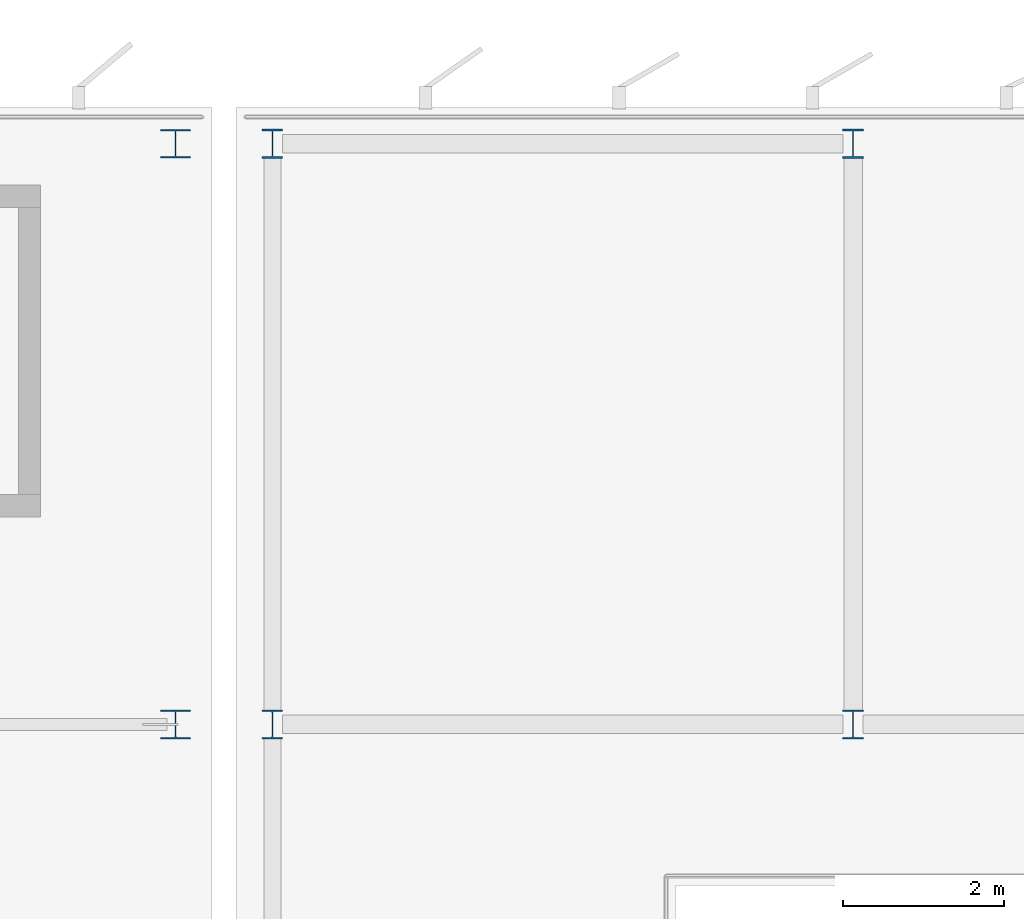
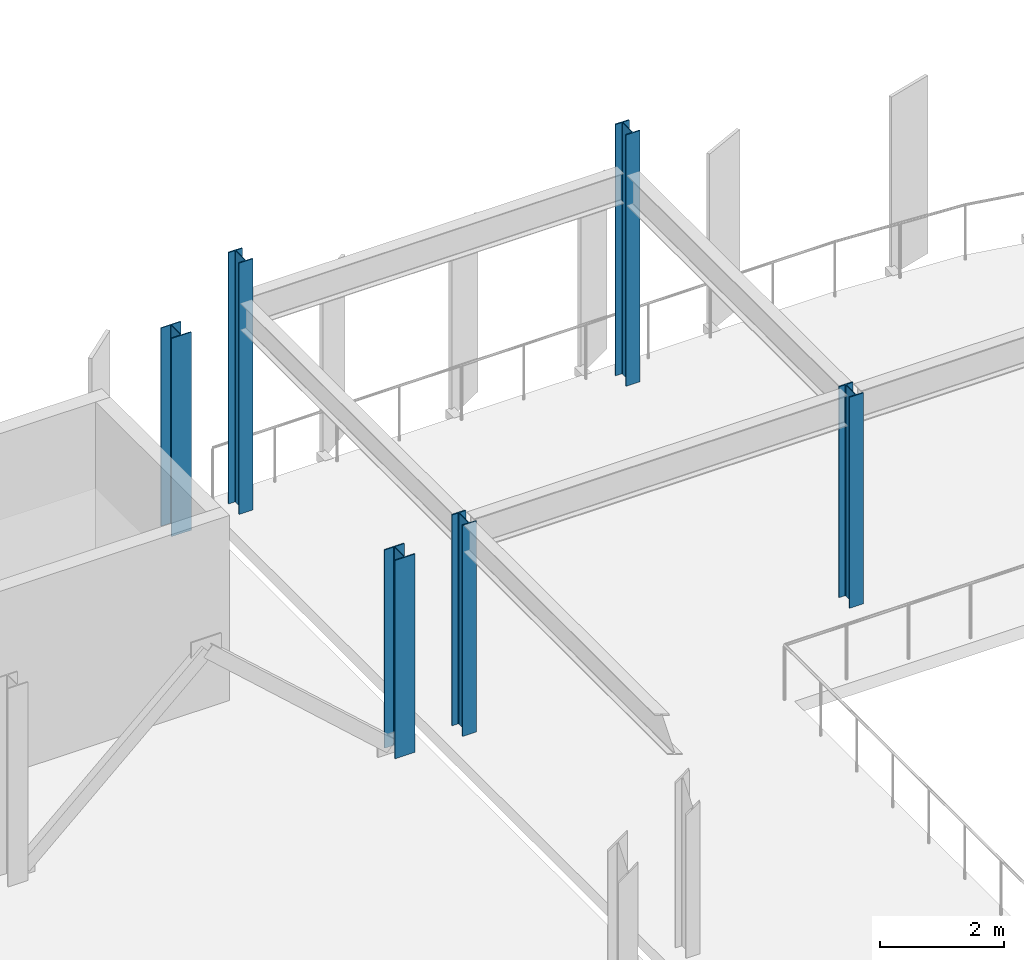
# One storey, part 10 of 40: 6 columns.
"""IFC4 building model written with IfcOpenShell, lengths in metres."""

from ifc_helpers import new_model, si_unit, direction, frame, origin, origin_2d, place, context, subcontext, project, spatial, i_section, extrude, material, material_profile, profile_set, type_object, element, save


model = new_model("IFC4")

# Units and contexts
model_context = context("Model", 3, precision=1e-05, world=origin(), true_north=direction((0.0, 1.0)))
body_context = subcontext(model_context, "Body", "Model", "MODEL_VIEW")
ifc_project = project(units=[si_unit("LENGTHUNIT", "METRE"), si_unit("AREAUNIT", "SQUARE_METRE"), si_unit("VOLUMEUNIT", "CUBIC_METRE"), si_unit("PLANEANGLEUNIT", "RADIAN"), si_unit("MASSUNIT", "GRAM", prefix="KILO")], contexts=[model_context])

# Site, building, storey
site_placement = place(None, origin())
site = spatial("IfcSite", under=ifc_project, at=site_placement, CompositionType="ELEMENT")
building_placement = place(site_placement, origin())
building = spatial("IfcBuilding", under=site, at=building_placement, Name="Vaelcorin Mobility Hub", CompositionType="ELEMENT")
storey_placement = place(building_placement, frame((0.0, 0.0, 17.10009765625)))
storey = spatial("IfcBuildingStorey", under=building, at=storey_placement, Name="L04", CompositionType="ELEMENT", Elevation=17.10009765625)

# Columns
ifc_material = material(Name="Steel ASTM A992 Grade 50", Category="steel")
ifc_material_profile_1 = material_profile(ifc_material, i_section(OverallWidth=0.37109375, OverallDepth=0.363037109375, WebThickness=0.01318359375, FlangeThickness=0.021728515625, FilletRadius=0.014892578125, at=origin_2d()), Name="W14X109")
ifc_profile_set_1 = profile_set([ifc_material_profile_1], Name="Steel ASTM A992 Grade 50")
column_type_1 = type_object("IfcColumnType", Name="COL-W14X109", PredefinedType="COLUMN", material=ifc_profile_set_1)
column_1_placement = place(storey_placement, frame((122.39990234375, 112.800048828125, 0.0), z_axis=(0.0, 0.0, 1.0), x_axis=(1.0, 0.0, 0.0)))
element("IfcColumn", 1, at=column_1_placement, inside=storey, type_object=column_type_1, Name="Column V4-X13Y06 L04", PredefinedType="COLUMN", context=body_context, shape_type="SweptSolid", body=[
    extrude(i_section(OverallWidth=0.37109375, OverallDepth=0.363037109375, WebThickness=0.01318359375, FlangeThickness=0.021728515625, FilletRadius=0.014892578125, at=origin_2d()), origin(), (0.0, 0.0, 1.0), 3.89990234375),
])
ifc_material_profile_2 = material_profile(ifc_material, i_section(OverallWidth=0.257080078125, OverallDepth=0.363037109375, WebThickness=0.012939453125, FlangeThickness=0.021728515625, FilletRadius=0.014892578125, at=origin_2d()), Name="W14X82")
ifc_profile_set_2 = profile_set([ifc_material_profile_2], Name="Steel ASTM A992 Grade 50")
column_type_2 = type_object("IfcColumnType", Name="COL-W14X82", PredefinedType="COLUMN", material=ifc_profile_set_2)
column_2_placement = place(storey_placement, frame((123.60009765625, 112.800048828125, 0.0), z_axis=(0.0, 0.0, 1.0), x_axis=(1.0, 0.0, 0.0)))
element("IfcColumn", 2, at=column_2_placement, inside=storey, type_object=column_type_2, Name="Column V2E-G1x6 L04", PredefinedType="COLUMN", context=body_context, shape_type="SweptSolid", body=[
    extrude(i_section(OverallWidth=0.257080078125, OverallDepth=0.363037109375, WebThickness=0.012939453125, FlangeThickness=0.021728515625, FilletRadius=0.014892578125, at=origin_2d()), origin(), (0.0, 0.0, 1.0), 4.14990234375),
])
column_3_placement = place(storey_placement, frame((123.60009765625, 120.0, 0.0), z_axis=(0.0, 0.0, 1.0), x_axis=(1.0, 0.0, 0.0)))
element("IfcColumn", 3, at=column_3_placement, inside=storey, type_object=column_type_2, Name="Column V2E-G1x7 L04", PredefinedType="COLUMN", context=body_context, shape_type="SweptSolid", body=[
    extrude(i_section(OverallWidth=0.257080078125, OverallDepth=0.363037109375, WebThickness=0.012939453125, FlangeThickness=0.021728515625, FilletRadius=0.014892578125, at=origin_2d()), origin(), (0.0, 0.0, 1.0), 4.94384765625),
])
column_4_placement = place(storey_placement, frame((130.800048828125, 112.800048828125, 0.0), z_axis=(0.0, 0.0, 1.0), x_axis=(1.0, 0.0, 0.0)))
element("IfcColumn", 4, at=column_4_placement, inside=storey, type_object=column_type_2, Name="Column V2E-G2x6 L04", PredefinedType="COLUMN", context=body_context, shape_type="SweptSolid", body=[
    extrude(i_section(OverallWidth=0.257080078125, OverallDepth=0.363037109375, WebThickness=0.012939453125, FlangeThickness=0.021728515625, FilletRadius=0.014892578125, at=origin_2d()), origin(), (0.0, 0.0, 1.0), 4.14990234375),
])
column_5_placement = place(storey_placement, frame((130.800048828125, 120.0, 0.0), z_axis=(0.0, 0.0, 1.0), x_axis=(1.0, 0.0, 0.0)))
element("IfcColumn", 5, at=column_5_placement, inside=storey, type_object=column_type_2, Name="Column V2E-G2x7 L04", PredefinedType="COLUMN", context=body_context, shape_type="SweptSolid", body=[
    extrude(i_section(OverallWidth=0.257080078125, OverallDepth=0.363037109375, WebThickness=0.012939453125, FlangeThickness=0.021728515625, FilletRadius=0.014892578125, at=origin_2d()), origin(), (0.0, 0.0, 1.0), 4.94384765625),
])
ifc_material_profile_3 = material_profile(ifc_material, i_section(OverallWidth=0.367919921875, OverallDepth=0.35595703125, WebThickness=0.01123046875, FlangeThickness=0.01806640625, FilletRadius=0.014892578125, at=origin_2d()), Name="W14X90")
ifc_profile_set_3 = profile_set([ifc_material_profile_3], Name="Steel ASTM A992 Grade 50")
column_type_3 = type_object("IfcColumnType", Name="COL-W14X90", PredefinedType="COLUMN", material=ifc_profile_set_3)
column_6_placement = place(storey_placement, frame((122.39990234375, 120.0, 0.0), z_axis=(0.0, 0.0, 1.0), x_axis=(1.0, 0.0, 0.0)))
element("IfcColumn", 6, at=column_6_placement, inside=storey, type_object=column_type_3, Name="Column V4-X13Y07 L04", PredefinedType="COLUMN", context=body_context, shape_type="SweptSolid", body=[
    extrude(i_section(OverallWidth=0.367919921875, OverallDepth=0.35595703125, WebThickness=0.01123046875, FlangeThickness=0.01806640625, FilletRadius=0.014892578125, at=origin_2d()), origin(), (0.0, 0.0, 1.0), 3.89990234375),
])

save(model, "model.ifc")
